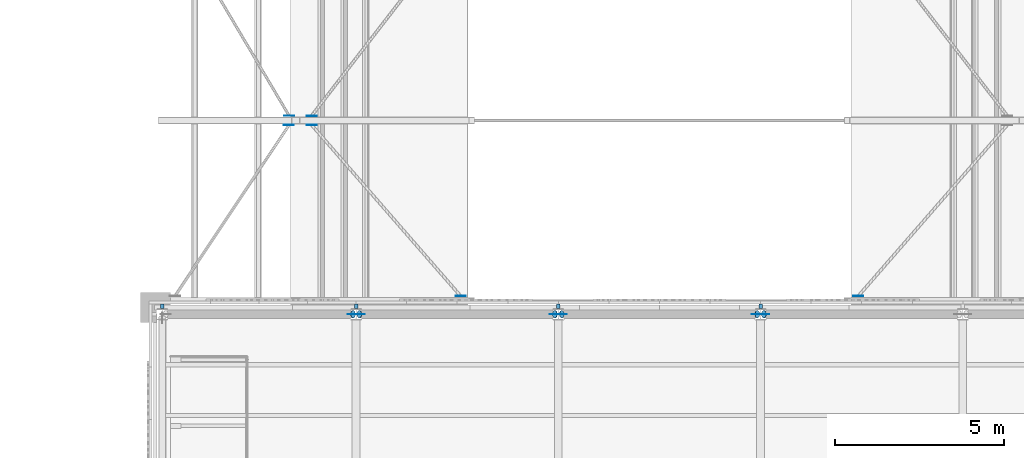
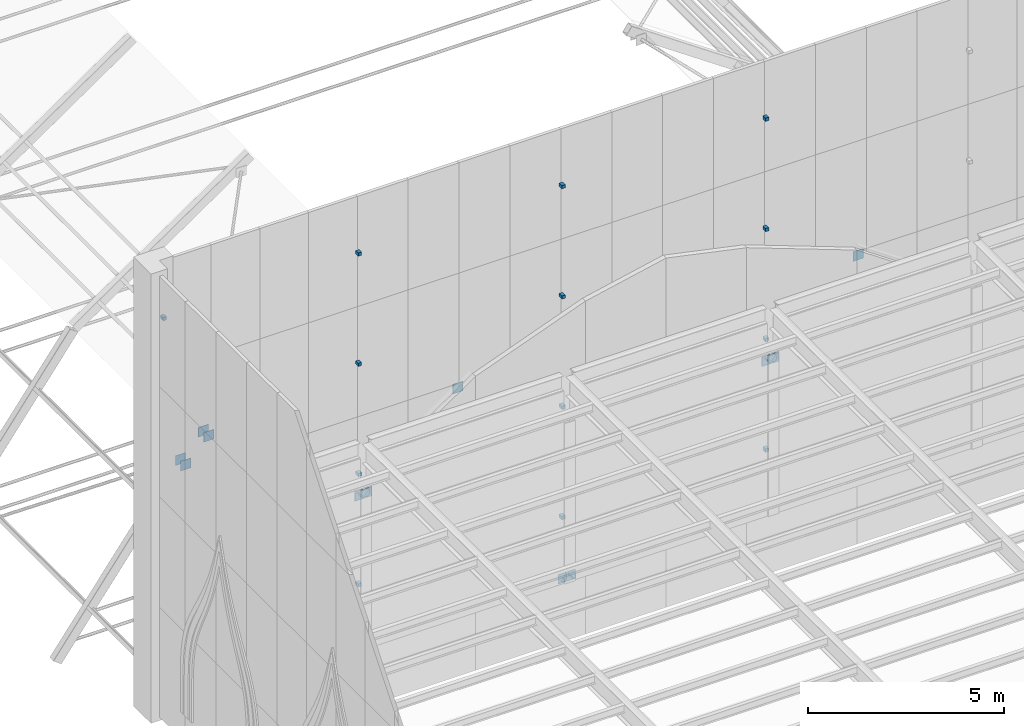
# One storey, part 27 of 43: 31 discrete accessories.
"""IFC4 building model written with IfcOpenShell, lengths in metres."""

from ifc_helpers import new_model, si_unit, direction, frame, origin, origin_2d, place, context, subcontext, project, spatial, rectangle, circle, extrude, material, material_profile, profile_set, type_object, element, save


model = new_model("IFC4")

# Units and contexts
model_context = context("Model", 3, precision=1e-05, world=origin(), true_north=direction((0.0, 1.0)))
body_context = subcontext(model_context, "Body", "Model", "MODEL_VIEW")
ifc_project = project(units=[si_unit("LENGTHUNIT", "METRE"), si_unit("AREAUNIT", "SQUARE_METRE"), si_unit("VOLUMEUNIT", "CUBIC_METRE"), si_unit("PLANEANGLEUNIT", "RADIAN"), si_unit("MASSUNIT", "GRAM", prefix="KILO")], contexts=[model_context])

# Site, building, storey
site_placement = place(None, origin())
site = spatial("IfcSite", under=ifc_project, at=site_placement, CompositionType="ELEMENT")
building_placement = place(site_placement, origin())
building = spatial("IfcBuilding", under=site, at=building_placement, Name="Saffron Lane Theatres", CompositionType="ELEMENT")
storey_placement = place(building_placement, frame((0.0, 0.0, 23.0)))
storey = spatial("IfcBuildingStorey", under=building, at=storey_placement, Name="Roof", CompositionType="ELEMENT", Elevation=23.0)

# Discrete accessories
ifc_material_1 = material(Name="Steel Grade 350", Category="steel")
ifc_material_profile_1 = material_profile(ifc_material_1, rectangle(XDim=0.300048828125, YDim=0.300048828125, at=origin_2d()))
ifc_profile_set_1 = profile_set([ifc_material_profile_1], Name="Steel Grade 350")
discrete_accessory_type_1 = type_object("IfcDiscreteAccessoryType", Name="ST-GUSSET CONNECTION PLATE", PredefinedType="BRACKET", material=ifc_profile_set_1)
for number, where, z_axis, x_axis, name in (
    (1, (22.007568359375, 59.866943359375, 2.970703125), (0.0, -1.0, 0.0), (1.0, 0.0, 0.0), "GB2"),
    (2, (22.68896484375, 59.86767578125, 3.62841796875), (0.0, -1.0, 0.0), (1.0, 0.0, 0.0), "GB3"),
    (3, (27.099609375, 54.7822265625, 6.6669921875), (0.0, 1.0, 0.0), (-1.0, 0.0, 0.0), "GB4"),
    (4, (38.900390625, 54.7822265625, 6.6669921875), (0.0, 1.0, 0.0), (-1.0, 0.0, 0.0), "GB13"),
    (5, (22.011962890625, 60.13134765625, 2.976318359375), (0.0, 1.0, 0.0), (-1.0, 0.0, 0.0), "GB18"),
    (6, (22.683349609375, 60.13037109375, 3.62451171875), (0.0, 1.0, 0.0), (-1.0, 0.0, 0.0), "GB19"),
):
    element("IfcDiscreteAccessory", number, at=place(storey_placement, frame(where, z_axis=z_axis, x_axis=x_axis)), inside=storey, type_object=discrete_accessory_type_1, Name=name, PredefinedType="BRACKET", context=body_context, shape_type="SweptSolid", body=[
        extrude(rectangle(XDim=0.300048828125, YDim=0.300048828125, at=origin_2d()), origin(), (0.0, 0.0, 1.0), 0.010009765625),
    ])
for number, where, z_axis, x_axis, name in (
    (7, (23.900634765625, 54.2451171875, 4.766357421875), (0.0, 1.0, 0.0), (-1.0, 0.0, 0.0), "GB118"),
    (8, (29.89453125, 54.2451171875, 0.085205078125), (0.0, 1.0, 0.0), (-1.0, 0.0, 0.0), "GB121"),
    (9, (24.10546875, 54.2451171875, 4.764892578125), (0.0, 1.0, 0.0), (-1.0, 0.0, 0.0), "GB122"),
    (10, (30.10546875, 54.2451171875, 0.085205078125), (0.0, 1.0, 0.0), (-1.0, 0.0, 0.0), "GB125"),
    (11, (35.89453125, 54.2451171875, 4.764892578125), (0.0, 1.0, 0.0), (-1.0, 0.0, 0.0), "GB126"),
    (12, (36.10546875, 54.2451171875, 4.764892578125), (0.0, 1.0, 0.0), (-1.0, 0.0, 0.0), "GB130"),
):
    element("IfcDiscreteAccessory", number, at=place(storey_placement, frame(where, z_axis=z_axis, x_axis=x_axis)), inside=storey, type_object=discrete_accessory_type_1, Name=name, PredefinedType="BRACKET", context=body_context, shape_type="SweptSolid", body=[
        extrude(rectangle(XDim=0.300048828125, YDim=0.300048828125, at=origin_2d()), origin(), (0.0, 0.0, 1.0), 0.009765625),
    ])
ifc_material_2 = material(Name="Steel Grade 350", Category="steel")
ifc_material_profile_2 = material_profile(ifc_material_2, circle(Radius=0.109619140625, at=origin_2d()))
ifc_profile_set_2 = profile_set([ifc_material_profile_2], Name="Steel Grade 350")
discrete_accessory_type_2 = type_object("IfcDiscreteAccessoryType", Name="ST-STEEL END CAP 219.1x8.2 CHS", PredefinedType="ANCHORPLATE", material=ifc_profile_set_2)
discrete_accessory_placement = place(storey_placement, frame((23.900634765625, 54.25, 4.766357421875), z_axis=(0.774865020772, 0.0, 0.632126727472), x_axis=(0.0, 1.0, 0.0)))
element("IfcDiscreteAccessory", 13, at=discrete_accessory_placement, inside=storey, type_object=discrete_accessory_type_2, Name="EC64", PredefinedType="ANCHORPLATE", context=body_context, shape_type="SweptSolid", body=[
    extrude(circle(Radius=0.109619140625, at=origin_2d()), origin(), (0.0, 0.0, 1.0), 0.011962890625),
])
for number, where, z_axis, x_axis, name in (
    (14, (29.904052734375, 54.25, 0.07763671875), (-0.782823254756, 0.0, 0.622244125575), (0.0, -1.0, 0.0), "EC67"),
    (15, (24.10546875, 54.25, 4.764892578125), (-0.782823254756, 0.0, 0.622244125575), (0.0, -1.0, 0.0), "EC68"),
    (16, (30.095947265625, 54.25, 0.07763671875), (0.782823254756, 0.0, 0.622244125575), (0.0, 1.0, 0.0), "EC71"),
    (17, (35.89453125, 54.25, 4.764892578125), (0.782823254756, 0.0, 0.622244125575), (0.0, 1.0, 0.0), "EC72"),
    (18, (36.10546875, 54.25, 4.764892578125), (-0.782823254756, 0.0, 0.622244125575), (0.0, -1.0, 0.0), "EC76"),
):
    element("IfcDiscreteAccessory", number, at=place(storey_placement, frame(where, z_axis=z_axis, x_axis=x_axis)), inside=storey, type_object=discrete_accessory_type_2, Name=name, PredefinedType="ANCHORPLATE", context=body_context, shape_type="SweptSolid", body=[
        extrude(circle(Radius=0.109619140625, at=origin_2d()), origin(), (0.0, 0.0, 1.0), 0.01220703125),
    ])
for number, where, z_axis, x_axis, name in (
    (19, (18.25, 54.481689453125, 12.081298828125), (0.0, 0.0, 1.0), (1.0, 0.0, 0.0), "Tower panel bracket 28"),
    (20, (24.0, 54.481689453125, 1.768798828125), (0.0, 0.0, 1.0), (1.0, 0.0, 0.0), "Tower panel bracket 29"),
    (21, (24.0, 54.481689453125, 5.206298828125), (0.0, 0.0, 1.0), (1.0, 0.0, 0.0), "Tower panel bracket 30"),
    (22, (24.0, 54.481689453125, 8.643798828125), (0.0, 0.0, 1.0), (1.0, 0.0, 0.0), "Tower panel bracket 31"),
    (23, (24.0, 54.481689453125, 12.081298828125), (0.0, 0.0, 1.0), (1.0, 0.0, 0.0), "Tower panel bracket 32"),
    (24, (30.0, 54.481689453125, 1.768798828125), (0.0, 0.0, 1.0), (1.0, 0.0, 0.0), "Tower panel bracket 33"),
    (25, (30.0, 54.481689453125, 5.206298828125), (0.0, 0.0, 1.0), (1.0, 0.0, 0.0), "Tower panel bracket 34"),
    (26, (30.0, 54.481689453125, 8.643798828125), (0.0, 0.0, 1.0), (1.0, 0.0, 0.0), "Tower panel bracket 35"),
    (27, (30.0, 54.481689453125, 12.081298828125), (0.0, 0.0, 1.0), (1.0, 0.0, 0.0), "Tower panel bracket 36"),
    (28, (36.0, 54.481689453125, 1.768798828125), (0.0, 0.0, 1.0), (1.0, 0.0, 0.0), "Tower panel bracket 37"),
    (29, (36.0, 54.481689453125, 5.206298828125), (0.0, 0.0, 1.0), (1.0, 0.0, 0.0), "Tower panel bracket 38"),
    (30, (36.0, 54.481689453125, 8.643798828125), (0.0, 0.0, 1.0), (1.0, 0.0, 0.0), "Tower panel bracket 39"),
    (31, (36.0, 54.481689453125, 12.081298828125), (0.0, 0.0, 1.0), (1.0, 0.0, 0.0), "Tower panel bracket 40"),
):
    element("IfcDiscreteAccessory", number, at=place(storey_placement, frame(where, z_axis=z_axis, x_axis=x_axis)), inside=storey, Name=name, PredefinedType="BRACKET", context=body_context, shape_type="SweptSolid", body=[
        extrude(rectangle(XDim=0.10009765625, YDim=0.136474609375, at=origin_2d()), origin(), (0.0, 0.0, 1.0), 0.10009765625),
    ])

save(model, "model.ifc")
